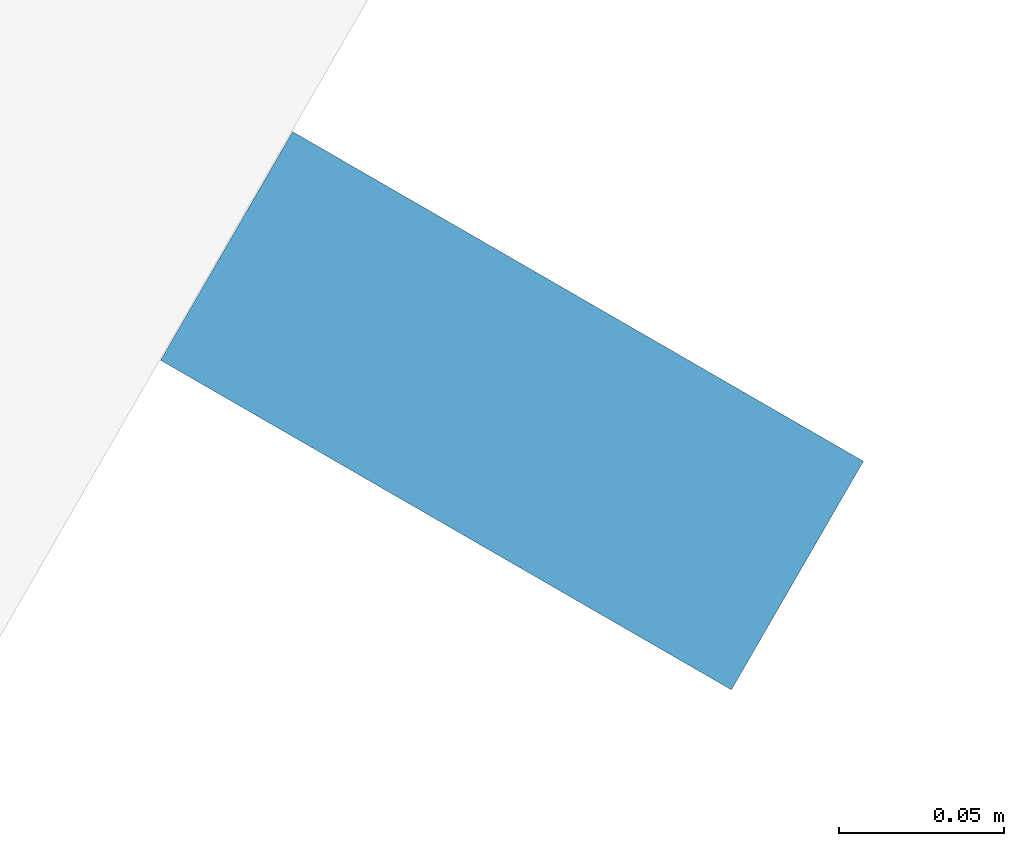
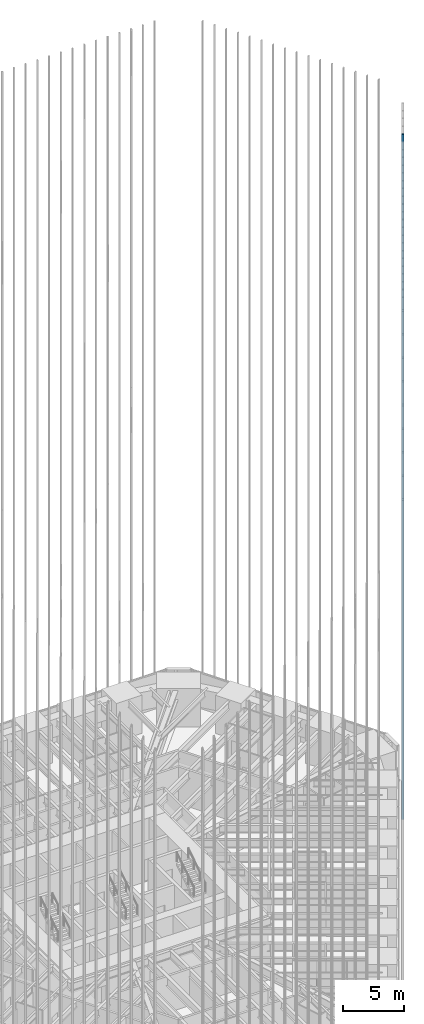
# One storey, part 128 of 256: 1 member, 1 element without a shape of its own.
"""IFC4 building model written with IfcOpenShell, lengths in metres."""

from ifc_helpers import new_model, si_unit, direction, frame, origin, origin_2d, place, context, subcontext, project, spatial, rectangle, extrude, material, material_profile, profile_set, type_object, element, aggregate, save


model = new_model("IFC4")

# Units and contexts
model_context = context("Model", 3, precision=1e-05, world=origin(), true_north=direction((0.0, 1.0)))
body_context = subcontext(model_context, "Body", "Model", "MODEL_VIEW")
ifc_project = project(units=[si_unit("LENGTHUNIT", "METRE"), si_unit("AREAUNIT", "SQUARE_METRE"), si_unit("VOLUMEUNIT", "CUBIC_METRE"), si_unit("PLANEANGLEUNIT", "RADIAN"), si_unit("MASSUNIT", "GRAM", prefix="KILO")], contexts=[model_context])

# Site, building, storey
site_placement = place(None, origin())
site = spatial("IfcSite", under=ifc_project, at=site_placement, CompositionType="ELEMENT")
building_placement = place(site_placement, origin())
building = spatial("IfcBuilding", under=site, at=building_placement, Name="Sandreach Pilgrim Tower", CompositionType="ELEMENT")
storey_placement = place(building_placement, frame((0.0, 0.0, 23.0)))
storey = spatial("IfcBuildingStorey", under=building, at=storey_placement, Name="L04", CompositionType="ELEMENT", Elevation=23.0)

# Curtain wall, member
ifc_material_1 = material(Name="Aluminium framed curtain wall", Category="aluminium")
curtain_wall_type = type_object("IfcCurtainWallType", Name="Hostel tower curtain wall", PredefinedType="NOTDEFINED", material=ifc_material_1)
curtain_wall_placement = place(storey_placement, origin())
curtain_wall = element("IfcCurtainWall", 1, at=curtain_wall_placement, inside=storey, type_object=curtain_wall_type, Name="CW-1 L04 SE", PredefinedType="NOTDEFINED")
ifc_material_2 = material(Name="Extruded terracotta on aluminium core", Category="masonry")
ifc_material_profile = material_profile(ifc_material_2, rectangle(XDim=0.080078125, YDim=0.199951171875, at=origin_2d()), Name="TBE 80X200")
ifc_profile_set = profile_set([ifc_material_profile], Name="Extruded terracotta on aluminium core")
member_type = type_object("IfcMemberType", Name="Terracotta baguette east", PredefinedType="USERDEFINED", material=ifc_profile_set)
member_placement = place(storey_placement, frame((28.27392578125, 0.274169921875, 0.0), z_axis=(0.0, 0.0, 1.0), x_axis=(-0.5, -0.866025403784, 0.0)))
member = element("IfcMember", 2, at=member_placement, type_object=member_type, Name="Baguette Z1 SE05", ObjectType="BAGUETTE", PredefinedType="USERDEFINED", context=body_context, shape_type="SweptSolid", body=[
    extrude(rectangle(XDim=0.080078125, YDim=0.199951171875, at=origin_2d()), origin(), (0.0, 0.0, 1.0), 68.239990234375),
])
aggregate(curtain_wall, [member])

save(model, "model.ifc")
